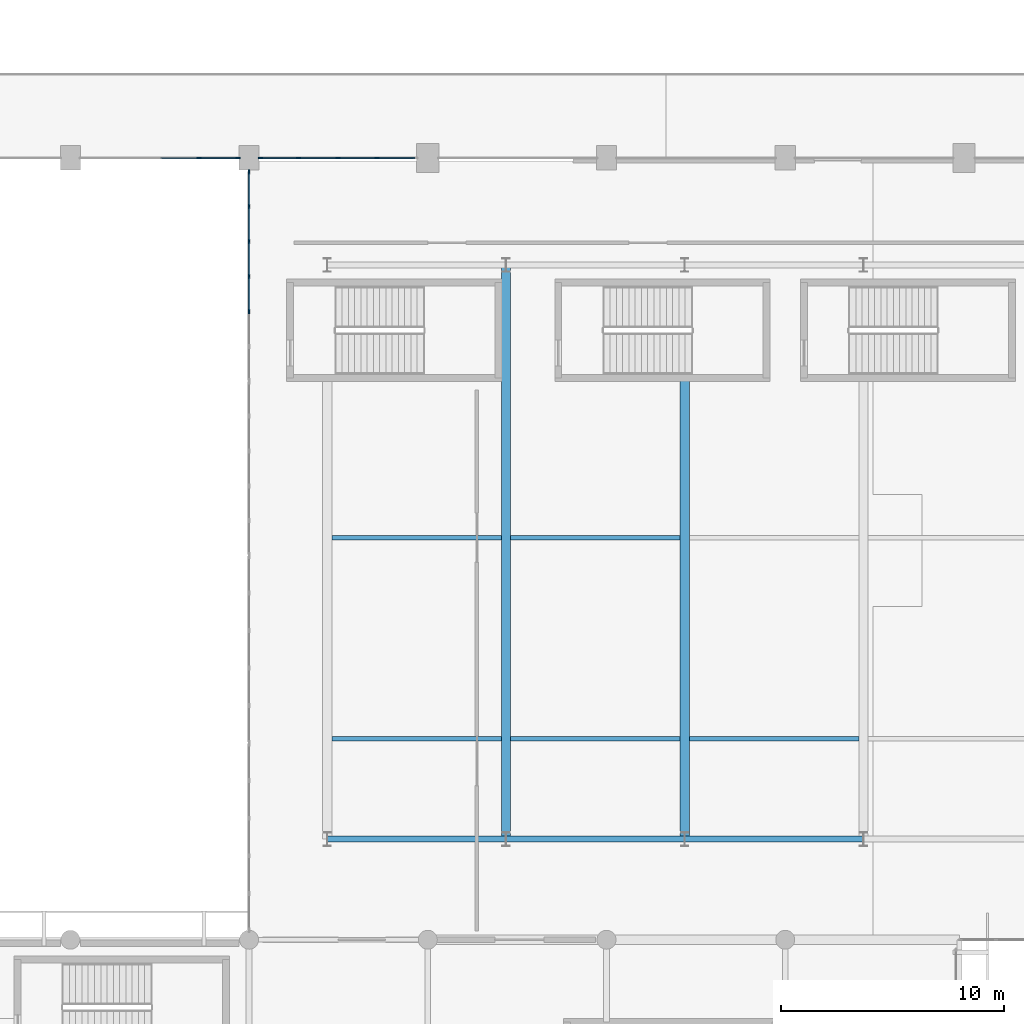
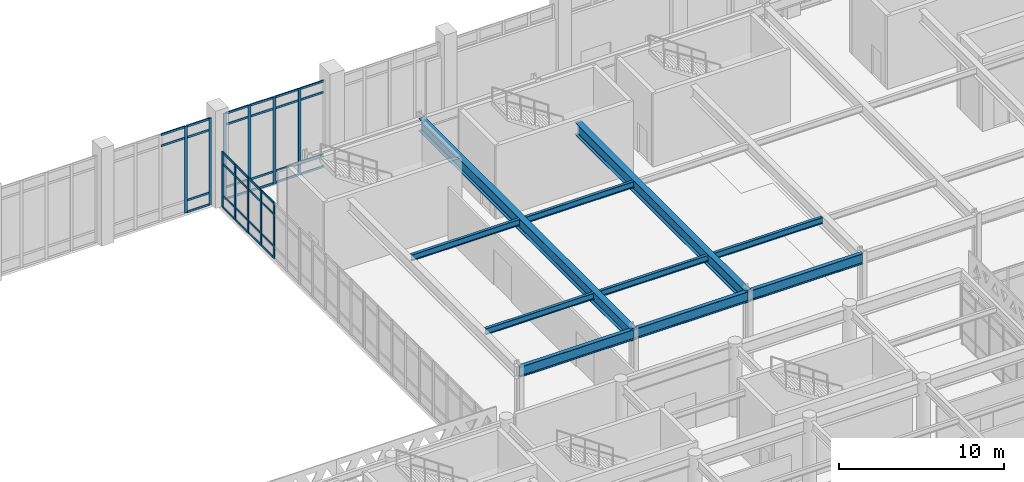
# One storey, part 29 of 84: 49 members, 10 beams, 3 elements without a shape of their own.
"""IFC4 building model written with IfcOpenShell, lengths in metres."""

import ifcopenshell
import ifcopenshell.guid

model = None  # the IFC model being written
_history = None  # IfcOwnerHistory: only IFC2X3 demands one
_inside = {}  # id of a spatial element -> (the spatial element, [elements in it])
_under = {}  # id of a project, library or spatial element -> (it, [spatial elements below it])
_declared = {}  # id of a project -> (the project, [libraries it declares])
_typed = {}  # id of a type object -> (the type object, [elements of that type])
_made_of = {}  # id of a material, layer set ... -> (it, [elements and type objects made of it])


def new_model(schema):
    """Start an empty IFC model of exactly this schema.

    Asked for "IFC4X3", IfcOpenShell would pick the latest addendum, in which some entities
    have other attributes; the version numbers below select the first issue.
    IFC2X3 requires an IfcOwnerHistory on every rooted entity: one is made here for all.
    """
    global model, _history
    if schema == "IFC4X3":
        model = ifcopenshell.file(schema_version=(4, 3, 0, 0))
    else:
        model = ifcopenshell.file(schema=schema)
    _inside.clear()
    _under.clear()
    _declared.clear()
    _typed.clear()
    _made_of.clear()
    _history = None
    if model.schema == "IFC2X3":
        org = make("IfcOrganization", Name="unknown")
        user = make(
            "IfcPersonAndOrganization",
            ThePerson=make("IfcPerson", FamilyName="unknown"),
            TheOrganization=org,
        )
        app = make(
            "IfcApplication",
            ApplicationDeveloper=org,
            Version="unknown",
            ApplicationFullName="unknown",
            ApplicationIdentifier="unknown",
        )
        _history = make(
            "IfcOwnerHistory",
            OwningUser=user,
            OwningApplication=app,
            ChangeAction="ADDED",
            CreationDate=0,
        )
    return model


def make(cls, **values):
    """One entity of the class cls with the attributes given. An attribute that is None is left unset."""
    return model.create_entity(
        cls, **{name: value for name, value in values.items() if value is not None}
    )


def rooted(cls, **values):
    """An entity with a GlobalId (a new one), such as an element, a storey or a relation."""
    return make(cls, GlobalId=ifcopenshell.guid.new(), OwnerHistory=_history, **values)


def si_unit(unit_type, name, prefix=None):
    """IfcSIUnit, for example si_unit("LENGTHUNIT", "METRE", prefix="MILLI")."""
    return make("IfcSIUnit", UnitType=unit_type, Prefix=prefix, Name=name)


def assignment(units):
    """IfcUnitAssignment: the units of a project."""
    return None if units is None else make("IfcUnitAssignment", Units=units)


def point(xyz):
    """IfcCartesianPoint."""
    return None if xyz is None else make("IfcCartesianPoint", Coordinates=xyz)


def direction(xyz):
    """IfcDirection."""
    return None if xyz is None else make("IfcDirection", DirectionRatios=xyz)


def frame(location, z_axis=None, x_axis=None):
    """IfcAxis2Placement3D, a coordinate frame: its origin and axes. An axis left out is left unset."""
    return make(
        "IfcAxis2Placement3D",
        Location=point(location),
        Axis=direction(z_axis),
        RefDirection=direction(x_axis),
    )


def frame_2d(location, x_axis=None):
    """IfcAxis2Placement2D, a coordinate frame in the plane: its origin and x axis."""
    return make(
        "IfcAxis2Placement2D", Location=point(location), RefDirection=direction(x_axis)
    )


def origin():
    """The frame at (0, 0, 0) with its axes left unset."""
    return frame((0.0, 0.0, 0.0))


def origin_2d():
    """The frame at (0, 0) in the plane with its x axis left unset."""
    return frame_2d((0.0, 0.0))


def place(relative_to, where):
    """IfcLocalPlacement: puts the frame where relative to a parent placement (None: the world)."""
    return make(
        "IfcLocalPlacement", PlacementRelTo=relative_to, RelativePlacement=where
    )


def context(
    kind, dimensions, precision=None, world=None, true_north=None, identifier=None
):
    """IfcGeometricRepresentationContext, for example the 3D "Model" context."""
    return make(
        "IfcGeometricRepresentationContext",
        ContextIdentifier=identifier,
        ContextType=kind,
        CoordinateSpaceDimension=dimensions,
        Precision=precision,
        WorldCoordinateSystem=world,
        TrueNorth=true_north,
    )


def subcontext(parent, identifier, kind, view, scale=None):
    """IfcGeometricRepresentationSubContext, for example "Body" below "Model"."""
    return make(
        "IfcGeometricRepresentationSubContext",
        ContextIdentifier=identifier,
        ContextType=kind,
        ParentContext=parent,
        TargetScale=scale,
        TargetView=view,
    )


def project(units=None, contexts=None):
    """IfcProject with its units and contexts."""
    return rooted(
        "IfcProject",
        Name="project",
        RepresentationContexts=contexts,
        UnitsInContext=assignment(units),
    )


def spatial(cls, under=None, at=None, **own):
    """A site, building, storey or space (cls), placed at a placement, below another one or the project."""
    s = rooted(cls, ObjectPlacement=at, **own)
    if under is not None:
        _under.setdefault(under.id(), (under, []))[1].append(s)
    return s


def profile(cls, at=None, kind="AREA", **sizes):
    """A parametric profile (cls). Its sizes go by their IFC names, for example OverallWidth=200.0."""
    return make(cls, ProfileType=kind, Position=at, **sizes)


def rectangle(**sizes):
    """IfcRectangleProfileDef."""
    return profile("IfcRectangleProfileDef", **sizes)


def i_section(**sizes):
    """IfcIShapeProfileDef."""
    return profile("IfcIShapeProfileDef", **sizes)


def extrude(swept, where, along, depth):
    """IfcExtrudedAreaSolid: the profile swept, set in the frame where, extruded along a direction by depth."""
    return make(
        "IfcExtrudedAreaSolid",
        SweptArea=swept,
        Position=where,
        ExtrudedDirection=direction(along),
        Depth=depth,
    )


def shape(context_of_items, identifier, shape_type, items):
    """IfcShapeRepresentation: the items that make up one representation, for example the "Body"."""
    return make(
        "IfcShapeRepresentation",
        ContextOfItems=context_of_items,
        RepresentationIdentifier=identifier,
        RepresentationType=shape_type,
        Items=items,
    )


def material(Name=None, Category=None):
    """IfcMaterial."""
    return make("IfcMaterial", Name=Name, Category=Category)


def layer(
    of_material, thickness, ventilated=None, Name=None, Category=None, Priority=None
):
    """IfcMaterialLayer: one layer of a wall or slab, of a material (None: an air gap)."""
    return make(
        "IfcMaterialLayer",
        Material=of_material,
        LayerThickness=thickness,
        IsVentilated=ventilated,
        Name=Name,
        Category=Category,
        Priority=Priority,
    )


def layer_set(layers, Name=None):
    """IfcMaterialLayerSet."""
    return make("IfcMaterialLayerSet", MaterialLayers=layers, LayerSetName=Name)


def material_profile(
    of_material, cross_section, Name=None, Category=None, Priority=None
):
    """IfcMaterialProfile: a cross section and its material."""
    return make(
        "IfcMaterialProfile",
        Name=Name,
        Material=of_material,
        Profile=cross_section,
        Priority=Priority,
        Category=Category,
    )


def profile_set(profiles, Name=None, composite=None):
    """IfcMaterialProfileSet."""
    return make(
        "IfcMaterialProfileSet",
        Name=Name,
        MaterialProfiles=profiles,
        CompositeProfile=composite,
    )


def made_of(thing, what):
    """Note that an element or type object is made of a material, layer set ...; save() writes the relation."""
    if what is not None:
        _made_of.setdefault(what.id(), (what, []))[1].append(thing)
    return thing


def type_object(cls, material=None, **own):
    """A type object (cls), such as IfcWallType, which elements share."""
    return made_of(rooted(cls, **own), material)


def element(
    cls,
    number,
    at=None,
    inside=None,
    cuts=None,
    type_object=None,
    material=None,
    context=None,
    identifier="Body",
    shape_type=None,
    held_by="IfcProductDefinitionShape",
    body=None,
    shapes=None,
    **own,
):
    """One element of the class cls, such as IfcWall. Its Tag is "e" and its number.

    at: its placement. inside: the storey or other place that contains it. cuts: it is an
    opening in that element (IfcRelVoidsElement). A single representation is given by context,
    identifier, shape_type and body (its items); several are given by shapes. held_by: the class
    of the entity that holds the representations. save() writes the other relations.
    """
    e = rooted(cls, Tag="e%d" % number, ObjectPlacement=at, **own)
    if body is not None:
        shapes = [shape(context, identifier, shape_type, body)]
    if shapes is not None:
        e.Representation = make(held_by, Representations=shapes)
    if inside is not None:
        _inside.setdefault(inside.id(), (inside, []))[1].append(e)
    if cuts is not None:
        rooted(
            "IfcRelVoidsElement", RelatingBuildingElement=cuts, RelatedOpeningElement=e
        )
    if type_object is not None:
        _typed.setdefault(type_object.id(), (type_object, []))[1].append(e)
    return made_of(e, material)


def aggregate(whole, parts):
    """IfcRelAggregates: a whole, such as a stair, and the parts it consists of."""
    return rooted("IfcRelAggregates", RelatingObject=whole, RelatedObjects=parts)


def save(model, path):
    """Write the relations noted so far, then the file.

    IfcRelAggregates (storeys below a building ...), IfcRelContainedInSpatialStructure (elements
    in a storey), IfcRelDefinesByType, IfcRelAssociatesMaterial and IfcRelDeclares: one each for
    every whole, place, type object, material and project.
    """
    for whole, parts in _under.values():
        aggregate(whole, parts)
    for where, things in _inside.values():
        rooted(
            "IfcRelContainedInSpatialStructure",
            RelatedElements=things,
            RelatingStructure=where,
        )
    for kind, things in _typed.values():
        rooted("IfcRelDefinesByType", RelatedObjects=things, RelatingType=kind)
    for what, things in _made_of.values():
        rooted("IfcRelAssociatesMaterial", RelatedObjects=things, RelatingMaterial=what)
    for by, libraries in _declared.values():
        rooted("IfcRelDeclares", RelatingContext=by, RelatedDefinitions=libraries)
    model.write(path)


model = new_model("IFC4")

# Units and contexts
model_context = context("Model", 3, precision=1e-05, world=origin(), true_north=direction((0.0, 1.0)))
body_context = subcontext(model_context, "Body", "Model", "MODEL_VIEW")
ifc_project = project(units=[si_unit("LENGTHUNIT", "METRE"), si_unit("AREAUNIT", "SQUARE_METRE"), si_unit("VOLUMEUNIT", "CUBIC_METRE"), si_unit("PLANEANGLEUNIT", "RADIAN"), si_unit("MASSUNIT", "GRAM", prefix="KILO")], contexts=[model_context])

# Site, building, storey
site_placement = place(None, origin())
site = spatial("IfcSite", under=ifc_project, at=site_placement, CompositionType="ELEMENT")
building_placement = place(site_placement, origin())
building = spatial("IfcBuilding", under=site, at=building_placement, Name="Tlacozan Convention Centre", CompositionType="ELEMENT")
storey_placement = place(building_placement, frame((0.0, 0.0, 6.0)))
storey = spatial("IfcBuildingStorey", under=building, at=storey_placement, Name="L01", CompositionType="ELEMENT", Elevation=6.0)

# Beams
ifc_material_1 = material(Name="Steel ASTM A992 Grade 50", Category="steel")
ifc_material_profile_1 = material_profile(ifc_material_1, i_section(OverallWidth=0.41796875, OverallDepth=0.912109375, WebThickness=0.019287109375, FlangeThickness=0.031982421875, FilletRadius=0.02001953125, at=origin_2d()), Name="IR 914x342.0")
ifc_profile_set_1 = profile_set([ifc_material_profile_1], Name="Steel ASTM A992 Grade 50")
beam_type_1 = type_object("IfcBeamType", Name="Ballroom Span Girder IR 914x342", PredefinedType="BEAM", material=ifc_profile_set_1)
beam_1_placement = place(storey_placement, frame((99.5, 31.5, 4.68408203125), z_axis=(0.0, 1.0, 0.0), x_axis=(-1.0, 0.0, 0.0)))
element("IfcBeam", 1, at=beam_1_placement, inside=storey, type_object=beam_type_1, Name="L01 Ballroom Span Girder IR 914x342 1440", PredefinedType="BEAM", context=body_context, shape_type="SweptSolid", body=[
    extrude(i_section(OverallWidth=0.41796875, OverallDepth=0.912109375, WebThickness=0.019287109375, FlangeThickness=0.031982421875, FilletRadius=0.02001953125, at=origin_2d()), origin(), (0.0, 0.0, 1.0), 25.699951171875),
])
beam_2_placement = place(storey_placement, frame((107.5, 31.5, 4.68408203125), z_axis=(0.0, 1.0, 0.0), x_axis=(-1.0, 0.0, 0.0)))
element("IfcBeam", 2, at=beam_2_placement, inside=storey, type_object=beam_type_1, Name="L01 Ballroom Span Girder IR 914x342 1441", PredefinedType="BEAM", context=body_context, shape_type="SweptSolid", body=[
    extrude(i_section(OverallWidth=0.41796875, OverallDepth=0.912109375, WebThickness=0.019287109375, FlangeThickness=0.031982421875, FilletRadius=0.02001953125, at=origin_2d()), origin(), (0.0, 0.0, 1.0), 20.639892578125),
])

# Curtain wall, members
ifc_material_2 = material(Name="Dark Bronze Anodised Aluminium", Category="aluminium")
ifc_layer_1 = layer(ifc_material_2, 0.199951171875)
ifc_layer_set_1 = layer_set([ifc_layer_1], Name="Dark Bronze Anodised Aluminium")
curtain_wall_type_1 = type_object("IfcCurtainWallType", Name="Exhibition Clerestory Curtain Wall CW10", PredefinedType="NOTDEFINED", material=ifc_layer_set_1)
curtain_wall_1_placement = place(storey_placement, origin())
curtain_wall_1 = element("IfcCurtainWall", 3, at=curtain_wall_1_placement, inside=storey, type_object=curtain_wall_type_1, Name="L01 CW-10 Run 19", PredefinedType="NOTDEFINED")
ifc_material_profile_2 = material_profile(ifc_material_2, rectangle(XDim=0.074951171875, YDim=0.199951171875, at=origin_2d()), Name="ALU 75x200")
ifc_profile_set_2 = profile_set([ifc_material_profile_2], Name="Dark Bronze Anodised Aluminium")
member_type_1 = type_object("IfcMemberType", Name="Curtain Wall Heavy Mullion 75x200", PredefinedType="MULLION", material=ifc_profile_set_2)
member_1_placement = place(storey_placement, frame((85.767578125, 62.0, 0.0), z_axis=(0.0, 0.0, 1.0), x_axis=(0.0, 1.0, 0.0)))
member_1 = element("IfcMember", 4, at=member_1_placement, type_object=member_type_1, Name="CW-10 mullion 4", PredefinedType="MULLION", context=body_context, shape_type="SweptSolid", body=[
    extrude(rectangle(XDim=0.074951171875, YDim=0.199951171875, at=origin_2d()), origin(), (0.0, 0.0, 1.0), 6.39990234375),
])
member_2_placement = place(storey_placement, frame((87.49755859375, 62.0, 0.0), z_axis=(0.0, 0.0, 1.0), x_axis=(0.0, 1.0, 0.0)))
member_2 = element("IfcMember", 5, at=member_2_placement, type_object=member_type_1, Name="CW-10 mullion 5", PredefinedType="MULLION", context=body_context, shape_type="SweptSolid", body=[
    extrude(rectangle(XDim=0.074951171875, YDim=0.199951171875, at=origin_2d()), origin(), (0.0, 0.0, 1.0), 6.39990234375),
])

curtain_wall_2_placement = place(storey_placement, origin())
curtain_wall_2 = element("IfcCurtainWall", 6, at=curtain_wall_2_placement, inside=storey, type_object=curtain_wall_type_1, Name="L01 CW-10 Run 20", PredefinedType="NOTDEFINED")
member_3_placement = place(storey_placement, frame((88.50244140625, 62.0, 0.0), z_axis=(0.0, 0.0, 1.0), x_axis=(0.0, 1.0, 0.0)))
member_3 = element("IfcMember", 7, at=member_3_placement, type_object=member_type_1, Name="CW-10 mullion 1", PredefinedType="MULLION", context=body_context, shape_type="SweptSolid", body=[
    extrude(rectangle(XDim=0.074951171875, YDim=0.199951171875, at=origin_2d()), origin(), (0.0, 0.0, 1.0), 6.39990234375),
])
member_4_placement = place(storey_placement, frame((90.219970703125, 62.0, 0.0), z_axis=(0.0, 0.0, 1.0), x_axis=(0.0, 1.0, 0.0)))
member_4 = element("IfcMember", 8, at=member_4_placement, type_object=member_type_1, Name="CW-10 mullion 2", PredefinedType="MULLION", context=body_context, shape_type="SweptSolid", body=[
    extrude(rectangle(XDim=0.074951171875, YDim=0.199951171875, at=origin_2d()), origin(), (0.0, 0.0, 1.0), 6.39990234375),
])
member_5_placement = place(storey_placement, frame((91.97509765625, 62.0, 0.0), z_axis=(0.0, 0.0, 1.0), x_axis=(0.0, 1.0, 0.0)))
member_5 = element("IfcMember", 9, at=member_5_placement, type_object=member_type_1, Name="CW-10 mullion 3", PredefinedType="MULLION", context=body_context, shape_type="SweptSolid", body=[
    extrude(rectangle(XDim=0.074951171875, YDim=0.199951171875, at=origin_2d()), origin(), (0.0, 0.0, 1.0), 6.39990234375),
])
member_6_placement = place(storey_placement, frame((93.72998046875, 62.0, 0.0), z_axis=(0.0, 0.0, 1.0), x_axis=(0.0, 1.0, 0.0)))
member_6 = element("IfcMember", 10, at=member_6_placement, type_object=member_type_1, Name="CW-10 mullion 4", PredefinedType="MULLION", context=body_context, shape_type="SweptSolid", body=[
    extrude(rectangle(XDim=0.074951171875, YDim=0.199951171875, at=origin_2d()), origin(), (0.0, 0.0, 1.0), 6.39990234375),
])

ifc_layer_2 = layer(ifc_material_2, 0.199951171875)
ifc_layer_set_2 = layer_set([ifc_layer_2], Name="Dark Bronze Anodised Aluminium")
curtain_wall_type_2 = type_object("IfcCurtainWallType", Name="Unitised Ballroom Cloister L01 CW08", PredefinedType="NOTDEFINED", material=ifc_layer_set_2)
curtain_wall_3_placement = place(storey_placement, origin())
curtain_wall_3 = element("IfcCurtainWall", 11, at=curtain_wall_3_placement, inside=storey, type_object=curtain_wall_type_2, Name="L01 CW-08 Run 163", PredefinedType="NOTDEFINED")
member_7_placement = place(storey_placement, frame((88.0, 55.13330078125, 0.0), z_axis=(0.0, 0.0, 1.0), x_axis=(-1.0, 0.0, 0.0)))
member_7 = element("IfcMember", 12, at=member_7_placement, type_object=member_type_1, Name="CW-08 mullion 3", PredefinedType="MULLION", context=body_context, shape_type="SweptSolid", body=[
    extrude(rectangle(XDim=0.074951171875, YDim=0.199951171875, at=origin_2d()), origin(), (0.0, 0.0, 1.0), 4.10009765625),
])
member_8_placement = place(storey_placement, frame((88.0, 56.699951171875, 0.0), z_axis=(0.0, 0.0, 1.0), x_axis=(-1.0, 0.0, 0.0)))
member_8 = element("IfcMember", 13, at=member_8_placement, type_object=member_type_1, Name="CW-08 mullion 4", PredefinedType="MULLION", context=body_context, shape_type="SweptSolid", body=[
    extrude(rectangle(XDim=0.074951171875, YDim=0.199951171875, at=origin_2d()), origin(), (0.0, 0.0, 1.0), 4.10009765625),
])
member_9_placement = place(storey_placement, frame((88.0, 58.2666015625, 0.0), z_axis=(0.0, 0.0, 1.0), x_axis=(-1.0, 0.0, 0.0)))
member_9 = element("IfcMember", 14, at=member_9_placement, type_object=member_type_1, Name="CW-08 mullion 5", PredefinedType="MULLION", context=body_context, shape_type="SweptSolid", body=[
    extrude(rectangle(XDim=0.074951171875, YDim=0.199951171875, at=origin_2d()), origin(), (0.0, 0.0, 1.0), 4.10009765625),
])
member_10_placement = place(storey_placement, frame((88.0, 59.833251953125, 0.0), z_axis=(0.0, 0.0, 1.0), x_axis=(-1.0, 0.0, 0.0)))
member_10 = element("IfcMember", 15, at=member_10_placement, type_object=member_type_1, Name="CW-08 mullion 6", PredefinedType="MULLION", context=body_context, shape_type="SweptSolid", body=[
    extrude(rectangle(XDim=0.074951171875, YDim=0.199951171875, at=origin_2d()), origin(), (0.0, 0.0, 1.0), 4.10009765625),
])
member_11_placement = place(storey_placement, frame((88.0, 61.362548828125, 0.0), z_axis=(0.0, 0.0, 1.0), x_axis=(-1.0, 0.0, 0.0)))
member_11 = element("IfcMember", 16, at=member_11_placement, type_object=member_type_1, Name="CW-08 mullion 7", PredefinedType="MULLION", context=body_context, shape_type="SweptSolid", body=[
    extrude(rectangle(XDim=0.074951171875, YDim=0.199951171875, at=origin_2d()), origin(), (0.0, 0.0, 1.0), 4.10009765625),
])

# Member
ifc_material_profile_3 = material_profile(ifc_material_2, rectangle(XDim=0.074951171875, YDim=0.14990234375, at=origin_2d()), Name="ALU 75x150")
ifc_profile_set_3 = profile_set([ifc_material_profile_3], Name="Dark Bronze Anodised Aluminium")
member_type_2 = type_object("IfcMemberType", Name="Curtain Wall Heavy Transom 75x150", PredefinedType="USERDEFINED", material=ifc_profile_set_3)
member_12_placement = place(storey_placement, frame((84.03759765625, 62.0, 5.550048828125), z_axis=(1.0, 0.0, 0.0), x_axis=(0.0, 1.0, 0.0)))
member_12 = element("IfcMember", 17, at=member_12_placement, type_object=member_type_2, Name="CW-10 transom 3.3", ObjectType="TRANSOM", PredefinedType="USERDEFINED", context=body_context, shape_type="SweptSolid", body=[
    extrude(rectangle(XDim=0.074951171875, YDim=0.14990234375, at=origin_2d()), origin(), (0.0, 0.0, 1.0), 1.6923828125),
])

member_13_placement = place(storey_placement, frame((84.03759765625, 62.0, 6.362548828125), z_axis=(1.0, 0.0, 0.0), x_axis=(0.0, 1.0, 0.0)))
member_13 = element("IfcMember", 18, at=member_13_placement, type_object=member_type_2, Name="CW-10 transom 3.4", ObjectType="TRANSOM", PredefinedType="USERDEFINED", context=body_context, shape_type="SweptSolid", body=[
    extrude(rectangle(XDim=0.074951171875, YDim=0.14990234375, at=origin_2d()), origin(), (0.0, 0.0, 1.0), 1.6923828125),
])

member_14_placement = place(storey_placement, frame((85.804931640625, 62.0, 0.03759765625), z_axis=(1.0, 0.0, 0.0), x_axis=(0.0, 1.0, 0.0)))
member_14 = element("IfcMember", 19, at=member_14_placement, type_object=member_type_2, Name="CW-10 transom 4.1", ObjectType="TRANSOM", PredefinedType="USERDEFINED", context=body_context, shape_type="SweptSolid", body=[
    extrude(rectangle(XDim=0.074951171875, YDim=0.14990234375, at=origin_2d()), origin(), (0.0, 0.0, 1.0), 1.655029296875),
])

member_15_placement = place(storey_placement, frame((85.804931640625, 62.0, 0.89990234375), z_axis=(1.0, 0.0, 0.0), x_axis=(0.0, 1.0, 0.0)))
member_15 = element("IfcMember", 20, at=member_15_placement, type_object=member_type_2, Name="CW-10 transom 4.2", ObjectType="TRANSOM", PredefinedType="USERDEFINED", context=body_context, shape_type="SweptSolid", body=[
    extrude(rectangle(XDim=0.074951171875, YDim=0.14990234375, at=origin_2d()), origin(), (0.0, 0.0, 1.0), 1.655029296875),
])

member_16_placement = place(storey_placement, frame((85.804931640625, 62.0, 5.550048828125), z_axis=(1.0, 0.0, 0.0), x_axis=(0.0, 1.0, 0.0)))
member_16 = element("IfcMember", 21, at=member_16_placement, type_object=member_type_2, Name="CW-10 transom 4.3", ObjectType="TRANSOM", PredefinedType="USERDEFINED", context=body_context, shape_type="SweptSolid", body=[
    extrude(rectangle(XDim=0.074951171875, YDim=0.14990234375, at=origin_2d()), origin(), (0.0, 0.0, 1.0), 1.655029296875),
])

member_17_placement = place(storey_placement, frame((85.804931640625, 62.0, 6.362548828125), z_axis=(1.0, 0.0, 0.0), x_axis=(0.0, 1.0, 0.0)))
member_17 = element("IfcMember", 22, at=member_17_placement, type_object=member_type_2, Name="CW-10 transom 4.4", ObjectType="TRANSOM", PredefinedType="USERDEFINED", context=body_context, shape_type="SweptSolid", body=[
    extrude(rectangle(XDim=0.074951171875, YDim=0.14990234375, at=origin_2d()), origin(), (0.0, 0.0, 1.0), 1.655029296875),
])

aggregate(curtain_wall_1, [member_1, member_2, member_12, member_13, member_14, member_15, member_16, member_17])

member_18_placement = place(storey_placement, frame((88.5400390625, 62.0, 0.03759765625), z_axis=(1.0, 0.0, 0.0), x_axis=(0.0, 1.0, 0.0)))
member_18 = element("IfcMember", 23, at=member_18_placement, type_object=member_type_2, Name="CW-10 transom 1.1", ObjectType="TRANSOM", PredefinedType="USERDEFINED", context=body_context, shape_type="SweptSolid", body=[
    extrude(rectangle(XDim=0.074951171875, YDim=0.14990234375, at=origin_2d()), origin(), (0.0, 0.0, 1.0), 1.642578125),
])

member_19_placement = place(storey_placement, frame((88.5400390625, 62.0, 0.89990234375), z_axis=(1.0, 0.0, 0.0), x_axis=(0.0, 1.0, 0.0)))
member_19 = element("IfcMember", 24, at=member_19_placement, type_object=member_type_2, Name="CW-10 transom 1.2", ObjectType="TRANSOM", PredefinedType="USERDEFINED", context=body_context, shape_type="SweptSolid", body=[
    extrude(rectangle(XDim=0.074951171875, YDim=0.14990234375, at=origin_2d()), origin(), (0.0, 0.0, 1.0), 1.642578125),
])

member_20_placement = place(storey_placement, frame((88.5400390625, 62.0, 5.550048828125), z_axis=(1.0, 0.0, 0.0), x_axis=(0.0, 1.0, 0.0)))
member_20 = element("IfcMember", 25, at=member_20_placement, type_object=member_type_2, Name="CW-10 transom 1.3", ObjectType="TRANSOM", PredefinedType="USERDEFINED", context=body_context, shape_type="SweptSolid", body=[
    extrude(rectangle(XDim=0.074951171875, YDim=0.14990234375, at=origin_2d()), origin(), (0.0, 0.0, 1.0), 1.642578125),
])

member_21_placement = place(storey_placement, frame((88.5400390625, 62.0, 6.362548828125), z_axis=(1.0, 0.0, 0.0), x_axis=(0.0, 1.0, 0.0)))
member_21 = element("IfcMember", 26, at=member_21_placement, type_object=member_type_2, Name="CW-10 transom 1.4", ObjectType="TRANSOM", PredefinedType="USERDEFINED", context=body_context, shape_type="SweptSolid", body=[
    extrude(rectangle(XDim=0.074951171875, YDim=0.14990234375, at=origin_2d()), origin(), (0.0, 0.0, 1.0), 1.642578125),
])

member_22_placement = place(storey_placement, frame((90.257568359375, 62.0, 0.03759765625), z_axis=(1.0, 0.0, 0.0), x_axis=(0.0, 1.0, 0.0)))
member_22 = element("IfcMember", 27, at=member_22_placement, type_object=member_type_2, Name="CW-10 transom 2.1", ObjectType="TRANSOM", PredefinedType="USERDEFINED", context=body_context, shape_type="SweptSolid", body=[
    extrude(rectangle(XDim=0.074951171875, YDim=0.14990234375, at=origin_2d()), origin(), (0.0, 0.0, 1.0), 1.679931640625),
])

member_23_placement = place(storey_placement, frame((90.257568359375, 62.0, 0.89990234375), z_axis=(1.0, 0.0, 0.0), x_axis=(0.0, 1.0, 0.0)))
member_23 = element("IfcMember", 28, at=member_23_placement, type_object=member_type_2, Name="CW-10 transom 2.2", ObjectType="TRANSOM", PredefinedType="USERDEFINED", context=body_context, shape_type="SweptSolid", body=[
    extrude(rectangle(XDim=0.074951171875, YDim=0.14990234375, at=origin_2d()), origin(), (0.0, 0.0, 1.0), 1.679931640625),
])

member_24_placement = place(storey_placement, frame((90.257568359375, 62.0, 5.550048828125), z_axis=(1.0, 0.0, 0.0), x_axis=(0.0, 1.0, 0.0)))
member_24 = element("IfcMember", 29, at=member_24_placement, type_object=member_type_2, Name="CW-10 transom 2.3", ObjectType="TRANSOM", PredefinedType="USERDEFINED", context=body_context, shape_type="SweptSolid", body=[
    extrude(rectangle(XDim=0.074951171875, YDim=0.14990234375, at=origin_2d()), origin(), (0.0, 0.0, 1.0), 1.679931640625),
])

member_25_placement = place(storey_placement, frame((90.257568359375, 62.0, 6.362548828125), z_axis=(1.0, 0.0, 0.0), x_axis=(0.0, 1.0, 0.0)))
member_25 = element("IfcMember", 30, at=member_25_placement, type_object=member_type_2, Name="CW-10 transom 2.4", ObjectType="TRANSOM", PredefinedType="USERDEFINED", context=body_context, shape_type="SweptSolid", body=[
    extrude(rectangle(XDim=0.074951171875, YDim=0.14990234375, at=origin_2d()), origin(), (0.0, 0.0, 1.0), 1.679931640625),
])

member_26_placement = place(storey_placement, frame((92.012451171875, 62.0, 0.03759765625), z_axis=(1.0, 0.0, 0.0), x_axis=(0.0, 1.0, 0.0)))
member_26 = element("IfcMember", 31, at=member_26_placement, type_object=member_type_2, Name="CW-10 transom 3.1", ObjectType="TRANSOM", PredefinedType="USERDEFINED", context=body_context, shape_type="SweptSolid", body=[
    extrude(rectangle(XDim=0.074951171875, YDim=0.14990234375, at=origin_2d()), origin(), (0.0, 0.0, 1.0), 1.679931640625),
])

member_27_placement = place(storey_placement, frame((92.012451171875, 62.0, 0.89990234375), z_axis=(1.0, 0.0, 0.0), x_axis=(0.0, 1.0, 0.0)))
member_27 = element("IfcMember", 32, at=member_27_placement, type_object=member_type_2, Name="CW-10 transom 3.2", ObjectType="TRANSOM", PredefinedType="USERDEFINED", context=body_context, shape_type="SweptSolid", body=[
    extrude(rectangle(XDim=0.074951171875, YDim=0.14990234375, at=origin_2d()), origin(), (0.0, 0.0, 1.0), 1.679931640625),
])

member_28_placement = place(storey_placement, frame((92.012451171875, 62.0, 5.550048828125), z_axis=(1.0, 0.0, 0.0), x_axis=(0.0, 1.0, 0.0)))
member_28 = element("IfcMember", 33, at=member_28_placement, type_object=member_type_2, Name="CW-10 transom 3.3", ObjectType="TRANSOM", PredefinedType="USERDEFINED", context=body_context, shape_type="SweptSolid", body=[
    extrude(rectangle(XDim=0.074951171875, YDim=0.14990234375, at=origin_2d()), origin(), (0.0, 0.0, 1.0), 1.679931640625),
])

member_29_placement = place(storey_placement, frame((92.012451171875, 62.0, 6.362548828125), z_axis=(1.0, 0.0, 0.0), x_axis=(0.0, 1.0, 0.0)))
member_29 = element("IfcMember", 34, at=member_29_placement, type_object=member_type_2, Name="CW-10 transom 3.4", ObjectType="TRANSOM", PredefinedType="USERDEFINED", context=body_context, shape_type="SweptSolid", body=[
    extrude(rectangle(XDim=0.074951171875, YDim=0.14990234375, at=origin_2d()), origin(), (0.0, 0.0, 1.0), 1.679931640625),
])

member_30_placement = place(storey_placement, frame((93.767578125, 62.0, 0.03759765625), z_axis=(1.0, 0.0, 0.0), x_axis=(0.0, 1.0, 0.0)))
member_30 = element("IfcMember", 35, at=member_30_placement, type_object=member_type_2, Name="CW-10 transom 4.1", ObjectType="TRANSOM", PredefinedType="USERDEFINED", context=body_context, shape_type="SweptSolid", body=[
    extrude(rectangle(XDim=0.074951171875, YDim=0.14990234375, at=origin_2d()), origin(), (0.0, 0.0, 1.0), 1.642333984375),
])

member_31_placement = place(storey_placement, frame((93.767578125, 62.0, 0.89990234375), z_axis=(1.0, 0.0, 0.0), x_axis=(0.0, 1.0, 0.0)))
member_31 = element("IfcMember", 36, at=member_31_placement, type_object=member_type_2, Name="CW-10 transom 4.2", ObjectType="TRANSOM", PredefinedType="USERDEFINED", context=body_context, shape_type="SweptSolid", body=[
    extrude(rectangle(XDim=0.074951171875, YDim=0.14990234375, at=origin_2d()), origin(), (0.0, 0.0, 1.0), 1.642333984375),
])

member_32_placement = place(storey_placement, frame((93.767578125, 62.0, 5.550048828125), z_axis=(1.0, 0.0, 0.0), x_axis=(0.0, 1.0, 0.0)))
member_32 = element("IfcMember", 37, at=member_32_placement, type_object=member_type_2, Name="CW-10 transom 4.3", ObjectType="TRANSOM", PredefinedType="USERDEFINED", context=body_context, shape_type="SweptSolid", body=[
    extrude(rectangle(XDim=0.074951171875, YDim=0.14990234375, at=origin_2d()), origin(), (0.0, 0.0, 1.0), 1.642333984375),
])

member_33_placement = place(storey_placement, frame((93.767578125, 62.0, 6.362548828125), z_axis=(1.0, 0.0, 0.0), x_axis=(0.0, 1.0, 0.0)))
member_33 = element("IfcMember", 38, at=member_33_placement, type_object=member_type_2, Name="CW-10 transom 4.4", ObjectType="TRANSOM", PredefinedType="USERDEFINED", context=body_context, shape_type="SweptSolid", body=[
    extrude(rectangle(XDim=0.074951171875, YDim=0.14990234375, at=origin_2d()), origin(), (0.0, 0.0, 1.0), 1.642333984375),
])

aggregate(curtain_wall_2, [member_3, member_4, member_5, member_6, member_18, member_19, member_20, member_21, member_22, member_23, member_24, member_25, member_26, member_27, member_28, member_29, member_30, member_31, member_32, member_33])

member_34_placement = place(storey_placement, frame((88.0, 55.1708984375, 0.03759765625), z_axis=(0.0, 1.0, 0.0), x_axis=(-1.0, 0.0, 0.0)))
member_34 = element("IfcMember", 39, at=member_34_placement, type_object=member_type_2, Name="CW-08 transom 3.1", ObjectType="TRANSOM", PredefinedType="USERDEFINED", context=body_context, shape_type="SweptSolid", body=[
    extrude(rectangle(XDim=0.074951171875, YDim=0.14990234375, at=origin_2d()), origin(), (0.0, 0.0, 1.0), 1.49169921875),
])

member_35_placement = place(storey_placement, frame((88.0, 55.1708984375, 0.89990234375), z_axis=(0.0, 1.0, 0.0), x_axis=(-1.0, 0.0, 0.0)))
member_35 = element("IfcMember", 40, at=member_35_placement, type_object=member_type_2, Name="CW-08 transom 3.2", ObjectType="TRANSOM", PredefinedType="USERDEFINED", context=body_context, shape_type="SweptSolid", body=[
    extrude(rectangle(XDim=0.074951171875, YDim=0.14990234375, at=origin_2d()), origin(), (0.0, 0.0, 1.0), 1.49169921875),
])

member_36_placement = place(storey_placement, frame((88.0, 55.1708984375, 3.25), z_axis=(0.0, 1.0, 0.0), x_axis=(-1.0, 0.0, 0.0)))
member_36 = element("IfcMember", 41, at=member_36_placement, type_object=member_type_2, Name="CW-08 transom 3.3", ObjectType="TRANSOM", PredefinedType="USERDEFINED", context=body_context, shape_type="SweptSolid", body=[
    extrude(rectangle(XDim=0.074951171875, YDim=0.14990234375, at=origin_2d()), origin(), (0.0, 0.0, 1.0), 1.49169921875),
])

member_37_placement = place(storey_placement, frame((88.0, 55.1708984375, 4.0625), z_axis=(0.0, 1.0, 0.0), x_axis=(-1.0, 0.0, 0.0)))
member_37 = element("IfcMember", 42, at=member_37_placement, type_object=member_type_2, Name="CW-08 transom 3.4", ObjectType="TRANSOM", PredefinedType="USERDEFINED", context=body_context, shape_type="SweptSolid", body=[
    extrude(rectangle(XDim=0.074951171875, YDim=0.14990234375, at=origin_2d()), origin(), (0.0, 0.0, 1.0), 1.49169921875),
])

member_38_placement = place(storey_placement, frame((88.0, 56.737548828125, 0.03759765625), z_axis=(0.0, 1.0, 0.0), x_axis=(-1.0, 0.0, 0.0)))
member_38 = element("IfcMember", 43, at=member_38_placement, type_object=member_type_2, Name="CW-08 transom 4.1", ObjectType="TRANSOM", PredefinedType="USERDEFINED", context=body_context, shape_type="SweptSolid", body=[
    extrude(rectangle(XDim=0.074951171875, YDim=0.14990234375, at=origin_2d()), origin(), (0.0, 0.0, 1.0), 1.49169921875),
])

member_39_placement = place(storey_placement, frame((88.0, 56.737548828125, 0.89990234375), z_axis=(0.0, 1.0, 0.0), x_axis=(-1.0, 0.0, 0.0)))
member_39 = element("IfcMember", 44, at=member_39_placement, type_object=member_type_2, Name="CW-08 transom 4.2", ObjectType="TRANSOM", PredefinedType="USERDEFINED", context=body_context, shape_type="SweptSolid", body=[
    extrude(rectangle(XDim=0.074951171875, YDim=0.14990234375, at=origin_2d()), origin(), (0.0, 0.0, 1.0), 1.49169921875),
])

member_40_placement = place(storey_placement, frame((88.0, 56.737548828125, 3.25), z_axis=(0.0, 1.0, 0.0), x_axis=(-1.0, 0.0, 0.0)))
member_40 = element("IfcMember", 45, at=member_40_placement, type_object=member_type_2, Name="CW-08 transom 4.3", ObjectType="TRANSOM", PredefinedType="USERDEFINED", context=body_context, shape_type="SweptSolid", body=[
    extrude(rectangle(XDim=0.074951171875, YDim=0.14990234375, at=origin_2d()), origin(), (0.0, 0.0, 1.0), 1.49169921875),
])

member_41_placement = place(storey_placement, frame((88.0, 56.737548828125, 4.0625), z_axis=(0.0, 1.0, 0.0), x_axis=(-1.0, 0.0, 0.0)))
member_41 = element("IfcMember", 46, at=member_41_placement, type_object=member_type_2, Name="CW-08 transom 4.4", ObjectType="TRANSOM", PredefinedType="USERDEFINED", context=body_context, shape_type="SweptSolid", body=[
    extrude(rectangle(XDim=0.074951171875, YDim=0.14990234375, at=origin_2d()), origin(), (0.0, 0.0, 1.0), 1.49169921875),
])

member_42_placement = place(storey_placement, frame((88.0, 58.30419921875, 0.03759765625), z_axis=(0.0, 1.0, 0.0), x_axis=(-1.0, 0.0, 0.0)))
member_42 = element("IfcMember", 47, at=member_42_placement, type_object=member_type_2, Name="CW-08 transom 5.1", ObjectType="TRANSOM", PredefinedType="USERDEFINED", context=body_context, shape_type="SweptSolid", body=[
    extrude(rectangle(XDim=0.074951171875, YDim=0.14990234375, at=origin_2d()), origin(), (0.0, 0.0, 1.0), 1.49169921875),
])

member_43_placement = place(storey_placement, frame((88.0, 58.30419921875, 0.89990234375), z_axis=(0.0, 1.0, 0.0), x_axis=(-1.0, 0.0, 0.0)))
member_43 = element("IfcMember", 48, at=member_43_placement, type_object=member_type_2, Name="CW-08 transom 5.2", ObjectType="TRANSOM", PredefinedType="USERDEFINED", context=body_context, shape_type="SweptSolid", body=[
    extrude(rectangle(XDim=0.074951171875, YDim=0.14990234375, at=origin_2d()), origin(), (0.0, 0.0, 1.0), 1.49169921875),
])

member_44_placement = place(storey_placement, frame((88.0, 58.30419921875, 3.25), z_axis=(0.0, 1.0, 0.0), x_axis=(-1.0, 0.0, 0.0)))
member_44 = element("IfcMember", 49, at=member_44_placement, type_object=member_type_2, Name="CW-08 transom 5.3", ObjectType="TRANSOM", PredefinedType="USERDEFINED", context=body_context, shape_type="SweptSolid", body=[
    extrude(rectangle(XDim=0.074951171875, YDim=0.14990234375, at=origin_2d()), origin(), (0.0, 0.0, 1.0), 1.49169921875),
])

member_45_placement = place(storey_placement, frame((88.0, 58.30419921875, 4.0625), z_axis=(0.0, 1.0, 0.0), x_axis=(-1.0, 0.0, 0.0)))
member_45 = element("IfcMember", 50, at=member_45_placement, type_object=member_type_2, Name="CW-08 transom 5.4", ObjectType="TRANSOM", PredefinedType="USERDEFINED", context=body_context, shape_type="SweptSolid", body=[
    extrude(rectangle(XDim=0.074951171875, YDim=0.14990234375, at=origin_2d()), origin(), (0.0, 0.0, 1.0), 1.49169921875),
])

member_46_placement = place(storey_placement, frame((88.0, 59.870849609375, 0.03759765625), z_axis=(0.0, 1.0, 0.0), x_axis=(-1.0, 0.0, 0.0)))
member_46 = element("IfcMember", 51, at=member_46_placement, type_object=member_type_2, Name="CW-08 transom 6.1", ObjectType="TRANSOM", PredefinedType="USERDEFINED", context=body_context, shape_type="SweptSolid", body=[
    extrude(rectangle(XDim=0.074951171875, YDim=0.14990234375, at=origin_2d()), origin(), (0.0, 0.0, 1.0), 1.4541015625),
])

member_47_placement = place(storey_placement, frame((88.0, 59.870849609375, 0.89990234375), z_axis=(0.0, 1.0, 0.0), x_axis=(-1.0, 0.0, 0.0)))
member_47 = element("IfcMember", 52, at=member_47_placement, type_object=member_type_2, Name="CW-08 transom 6.2", ObjectType="TRANSOM", PredefinedType="USERDEFINED", context=body_context, shape_type="SweptSolid", body=[
    extrude(rectangle(XDim=0.074951171875, YDim=0.14990234375, at=origin_2d()), origin(), (0.0, 0.0, 1.0), 1.4541015625),
])

member_48_placement = place(storey_placement, frame((88.0, 59.870849609375, 3.25), z_axis=(0.0, 1.0, 0.0), x_axis=(-1.0, 0.0, 0.0)))
member_48 = element("IfcMember", 53, at=member_48_placement, type_object=member_type_2, Name="CW-08 transom 6.3", ObjectType="TRANSOM", PredefinedType="USERDEFINED", context=body_context, shape_type="SweptSolid", body=[
    extrude(rectangle(XDim=0.074951171875, YDim=0.14990234375, at=origin_2d()), origin(), (0.0, 0.0, 1.0), 1.4541015625),
])

member_49_placement = place(storey_placement, frame((88.0, 59.870849609375, 4.0625), z_axis=(0.0, 1.0, 0.0), x_axis=(-1.0, 0.0, 0.0)))
member_49 = element("IfcMember", 54, at=member_49_placement, type_object=member_type_2, Name="CW-08 transom 6.4", ObjectType="TRANSOM", PredefinedType="USERDEFINED", context=body_context, shape_type="SweptSolid", body=[
    extrude(rectangle(XDim=0.074951171875, YDim=0.14990234375, at=origin_2d()), origin(), (0.0, 0.0, 1.0), 1.4541015625),
])

aggregate(curtain_wall_3, [member_7, member_8, member_9, member_10, member_11, member_34, member_35, member_36, member_37, member_38, member_39, member_40, member_41, member_42, member_43, member_44, member_45, member_46, member_47, member_48, member_49])

# Beams
ifc_material_profile_4 = material_profile(ifc_material_1, i_section(OverallWidth=0.26806640625, OverallDepth=0.77001953125, WebThickness=0.015625, FlangeThickness=0.025390625, FilletRadius=0.01708984375, at=origin_2d()), Name="IR 762x196.0")
ifc_profile_set_4 = profile_set([ifc_material_profile_4], Name="Steel ASTM A992 Grade 50")
beam_type_2 = type_object("IfcBeamType", Name="Girder Steel IR 762x196", PredefinedType="BEAM", material=ifc_profile_set_4)
for number, where, z_axis, x_axis, name in (
    (55, (91.5, 31.5, 4.7548828125), (1.0, 0.0, 0.0), (0.0, 1.0, 0.0), "L01 Girder Steel IR 762x196 1446"),
    (56, (99.5, 31.5, 4.7548828125), (1.0, 0.0, 0.0), (0.0, 1.0, 0.0), "L01 Girder Steel IR 762x196 1450"),
    (57, (107.5, 31.5, 4.7548828125), (1.0, 0.0, 0.0), (0.0, 1.0, 0.0), "L01 Girder Steel IR 762x196 1454"),
):
    element("IfcBeam", number, at=place(storey_placement, frame(where, z_axis=z_axis, x_axis=x_axis)), inside=storey, type_object=beam_type_2, Name=name, PredefinedType="BEAM", context=body_context, shape_type="SweptSolid", body=[
        extrude(i_section(OverallWidth=0.26806640625, OverallDepth=0.77001953125, WebThickness=0.015625, FlangeThickness=0.025390625, FilletRadius=0.01708984375, at=origin_2d()), origin(), (0.0, 0.0, 1.0), 8.0),
    ])
ifc_material_profile_5 = material_profile(ifc_material_1, i_section(OverallWidth=0.19189453125, OverallDepth=0.462890625, WebThickness=0.010498046875, FlangeThickness=0.017578125, FilletRadius=0.010986328125, at=origin_2d()), Name="IR 457x89.3")
ifc_profile_set_5 = profile_set([ifc_material_profile_5], Name="Steel ASTM A992 Grade 50")
beam_type_3 = type_object("IfcBeamType", Name="Secondary Joist IR 457x89.3", PredefinedType="JOIST", material=ifc_profile_set_5)
for number, where, z_axis, x_axis, name in (
    (58, (91.70703125, 36.0, 4.908447265625), (1.0, 0.0, 0.0), (0.0, 1.0, 0.0), "L01 Secondary Joist IR 457x89.3 1448"),
    (59, (91.70703125, 45.0, 4.908447265625), (1.0, 0.0, 0.0), (0.0, 1.0, 0.0), "L01 Secondary Joist IR 457x89.3 1449"),
    (60, (99.70703125, 36.0, 4.908447265625), (1.0, 0.0, 0.0), (0.0, 1.0, 0.0), "L01 Secondary Joist IR 457x89.3 1452"),
    (61, (99.70703125, 45.0, 4.908447265625), (1.0, 0.0, 0.0), (0.0, 1.0, 0.0), "L01 Secondary Joist IR 457x89.3 1453"),
    (62, (107.70703125, 36.0, 4.908447265625), (1.0, 0.0, 0.0), (0.0, 1.0, 0.0), "L01 Secondary Joist IR 457x89.3 1456"),
):
    element("IfcBeam", number, at=place(storey_placement, frame(where, z_axis=z_axis, x_axis=x_axis)), inside=storey, type_object=beam_type_3, Name=name, PredefinedType="JOIST", context=body_context, shape_type="SweptSolid", body=[
        extrude(i_section(OverallWidth=0.19189453125, OverallDepth=0.462890625, WebThickness=0.010498046875, FlangeThickness=0.017578125, FilletRadius=0.010986328125, at=origin_2d()), origin(), (0.0, 0.0, 1.0), 7.5859375),
    ])

save(model, "model.ifc")
